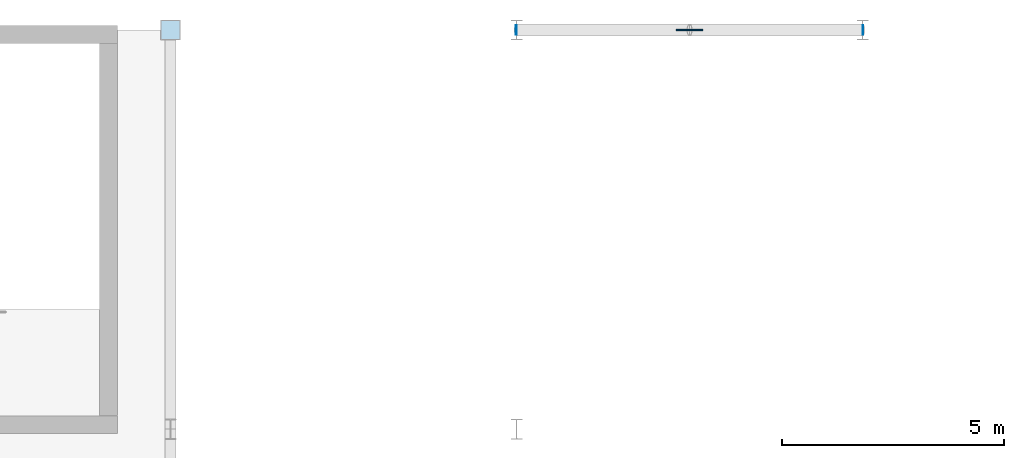
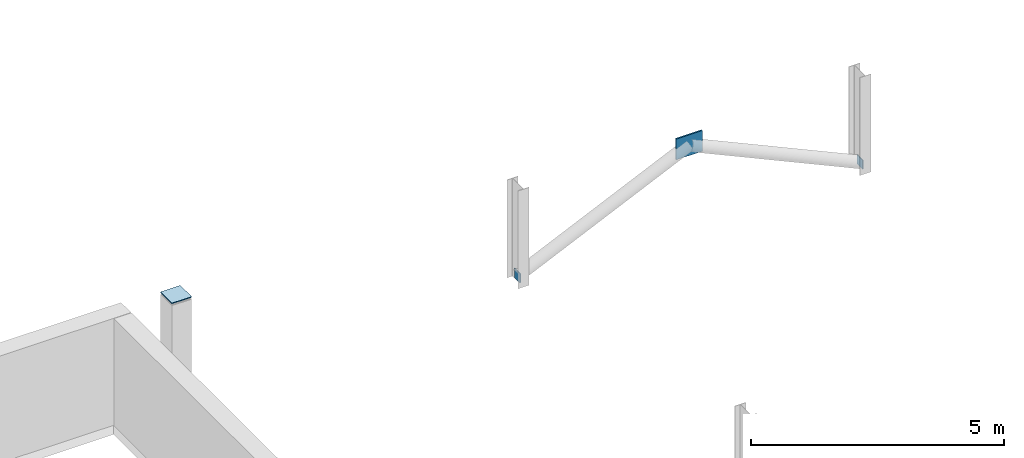
# One storey, part 9 of 12: 4 plates.
"""IFC4 building model written with IfcOpenShell, lengths in metres."""

from ifc_helpers import new_model, si_unit, derived_unit, direction, frame, origin, origin_2d, place, context, subcontext, project, spatial, rectangle, extrude, material, layer, layer_set, type_object, element, save


model = new_model("IFC4")

# Units and contexts
model_context = context("Model", 3, precision=1e-05, world=origin(), true_north=direction((0.0, 1.0)))
body_context = subcontext(model_context, "Body", "Model", "MODEL_VIEW")
ifc_project = project(units=[si_unit("LENGTHUNIT", "METRE"), si_unit("AREAUNIT", "SQUARE_METRE"), si_unit("VOLUMEUNIT", "CUBIC_METRE"), si_unit("PLANEANGLEUNIT", "RADIAN"), si_unit("MASSUNIT", "GRAM", prefix="KILO"), derived_unit("THERMALTRANSMITTANCEUNIT", [(si_unit("POWERUNIT", "WATT"), 1), (si_unit("LENGTHUNIT", "METRE"), -2), (si_unit("THERMODYNAMICTEMPERATUREUNIT", "KELVIN"), -1)])], contexts=[model_context])

# Site, building, storey
site_placement = place(None, origin())
site = spatial("IfcSite", under=ifc_project, at=site_placement, CompositionType="ELEMENT")
building_placement = place(site_placement, origin())
building = spatial("IfcBuilding", under=site, at=building_placement, Name="Nallur Shell Playhouse", CompositionType="ELEMENT")
storey_placement = place(building_placement, frame((0.0, 0.0, 28.800048828125)))
storey = spatial("IfcBuildingStorey", under=building, at=storey_placement, Name="RF1", CompositionType="ELEMENT", Elevation=28.800048828125)

# Plates
ifc_material = material(Name="Steel E350", Category="steel")
ifc_layer_1 = layer(ifc_material, 0.02001953125)
ifc_layer_set_1 = layer_set([ifc_layer_1], Name="Steel E350")
plate_type_1 = type_object("IfcPlateType", Name="PT-ENDCAP-20", PredefinedType="SHEET", material=ifc_layer_set_1)
plate_1_placement = place(storey_placement, frame((64.0, 83.0, 2.39990234375), z_axis=(0.0, 0.0, 1.0), x_axis=(1.0, 0.0, 0.0)))
element("IfcPlate", 1, at=plate_1_placement, inside=storey, type_object=plate_type_1, Name="Hollow end cap EC-COL-RF1-8-K", PredefinedType="SHEET", context=body_context, shape_type="SweptSolid", body=[
    extrude(rectangle(XDim=0.449951171875, YDim=0.449951171875, at=origin_2d()), origin(), (0.0, 0.0, 1.0), 0.02001953125),
])
for number, where, z_axis, x_axis, name in (
    (2, (71.791015625, 83.0, 0.03564453125), (0.0, 0.0, 1.0), (1.0, 0.0, 0.0), "Hollow end cap EC-BR-FT-RF1-053-0"),
    (3, (79.609130859375, 83.0, 0.03564453125), (0.0, 0.0, 1.0), (1.0, 0.0, 0.0), "Hollow end cap EC-BR-FT-RF1-054-0"),
):
    element("IfcPlate", number, at=place(storey_placement, frame(where, z_axis=z_axis, x_axis=x_axis)), inside=storey, type_object=plate_type_1, Name=name, PredefinedType="SHEET", context=body_context, shape_type="SweptSolid", body=[
        extrude(rectangle(XDim=0.02001953125, YDim=0.219970703125, at=origin_2d()), origin(), (0.0, 0.0, 1.0), 0.219970703125),
    ])
ifc_layer_2 = layer(ifc_material, 0.034912109375)
ifc_layer_set_2 = layer_set([ifc_layer_2], Name="Steel E350")
plate_type_2 = type_object("IfcPlateType", Name="PT-GUSSET-35", PredefinedType="USERDEFINED", material=ifc_layer_set_2)
plate_2_placement = place(storey_placement, frame((75.699951171875, 83.0, 1.679931640625), z_axis=(0.0, 0.0, 1.0), x_axis=(1.0, 0.0, 0.0)))
element("IfcPlate", 4, at=plate_2_placement, inside=storey, type_object=plate_type_2, Name="Fly tower chevron node gusset plate TN-02 (RF1)", ObjectType="GUSSET PLATE", PredefinedType="USERDEFINED", context=body_context, shape_type="SweptSolid", body=[
    extrude(rectangle(XDim=0.60009765625, YDim=0.034912109375, at=origin_2d()), origin(), (0.0, 0.0, 1.0), 0.5),
])

save(model, "model.ifc")
